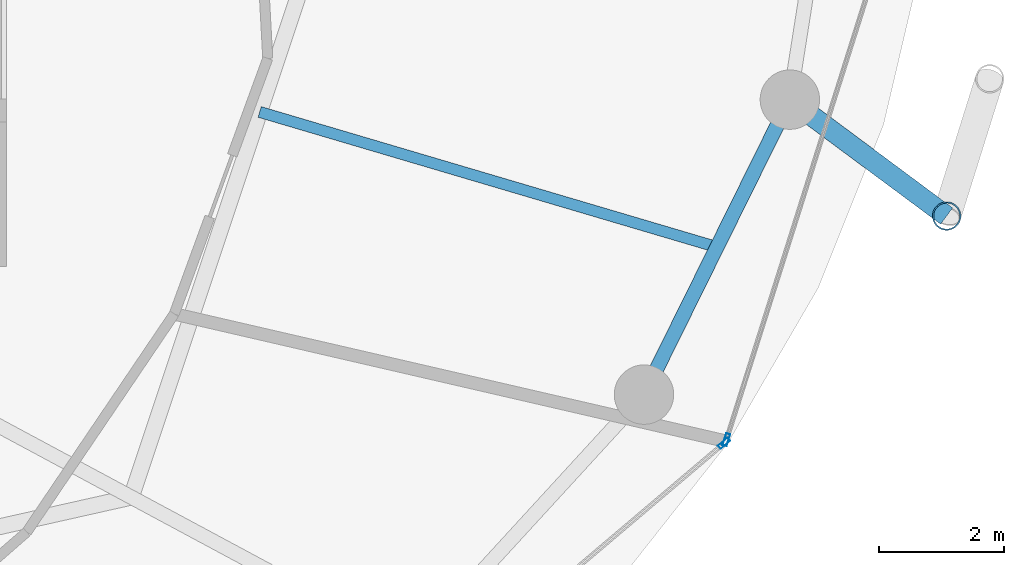
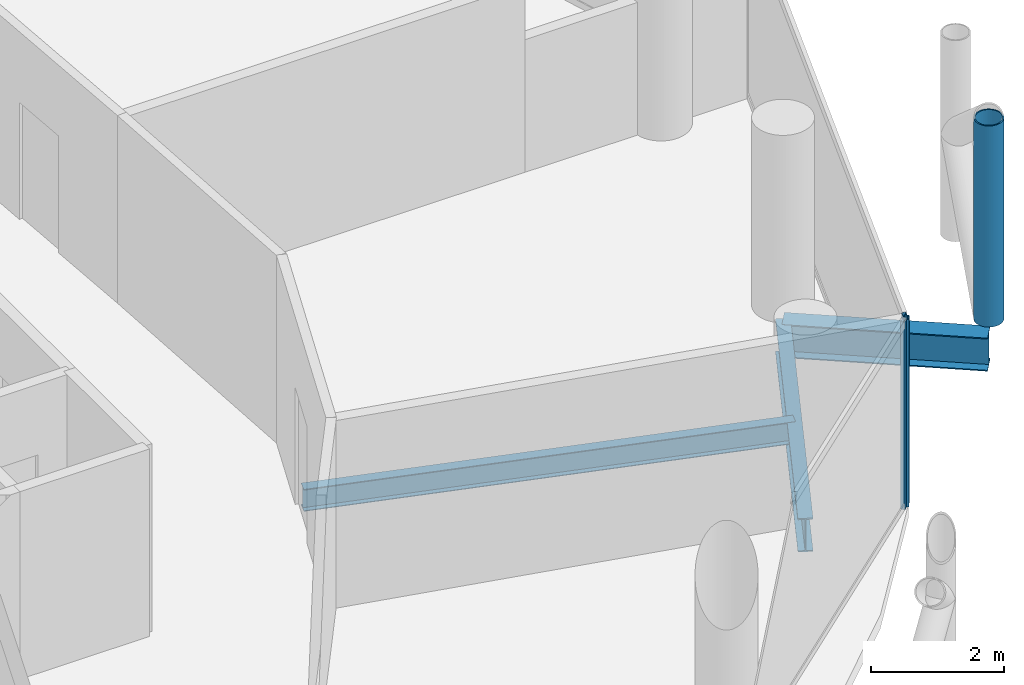
# One storey, part 10 of 26: 3 beams, 3 members, 2 elements without a shape of their own.
"""IFC4 building model written with IfcOpenShell, lengths in metres."""

from ifc_helpers import new_model, si_unit, direction, frame, origin, origin_2d, place, context, subcontext, project, spatial, hollow_rectangle, hollow_circle, i_section, extrude, material, layer, layer_set, material_profile, profile_set, type_object, element, aggregate, save


model = new_model("IFC4")

# Units and contexts
model_context = context("Model", 3, precision=1e-05, world=origin(), true_north=direction((0.0, 1.0)))
body_context = subcontext(model_context, "Body", "Model", "MODEL_VIEW")
ifc_project = project(units=[si_unit("LENGTHUNIT", "METRE"), si_unit("AREAUNIT", "SQUARE_METRE"), si_unit("VOLUMEUNIT", "CUBIC_METRE"), si_unit("PLANEANGLEUNIT", "RADIAN"), si_unit("MASSUNIT", "GRAM", prefix="KILO")], contexts=[model_context])

# Site, building, storey
site_placement = place(None, origin())
site = spatial("IfcSite", under=ifc_project, at=site_placement, CompositionType="ELEMENT")
building_placement = place(site_placement, origin())
building = spatial("IfcBuilding", under=site, at=building_placement, Name="Nuhasar Tower", CompositionType="ELEMENT")
storey_placement = place(building_placement, frame((0.0, 0.0, 155.25)))
storey = spatial("IfcBuildingStorey", under=building, at=storey_placement, Name="L37", CompositionType="ELEMENT", Elevation=155.25)

# Beams
ifc_material_1 = material(Name="Steel S355", Category="steel")
ifc_material_profile_1 = material_profile(ifc_material_1, i_section(OverallWidth=0.177978515625, OverallDepth=0.406005859375, WebThickness=0.0078125, FlangeThickness=0.0126953125, at=origin_2d()), Name="W16X40")
ifc_profile_set_1 = profile_set([ifc_material_profile_1], Name="Steel S355")
beam_type_1 = type_object("IfcBeamType", Name="BM-JST-W16X40", PredefinedType="JOIST", material=ifc_profile_set_1)
beam_1_placement = place(storey_placement, frame((53.0791015625, 21.54296875, -0.452880859375), z_axis=(0.959000494697, -0.283404395116, 0.0), x_axis=(0.283404395116, 0.959000494697, 0.0)))
element("IfcBeam", 1, at=beam_1_placement, inside=storey, type_object=beam_type_1, Name="L37 Secondary Floor Joist 03", PredefinedType="JOIST", context=body_context, shape_type="SweptSolid", body=[
    extrude(i_section(OverallWidth=0.177978515625, OverallDepth=0.406005859375, WebThickness=0.0078125, FlangeThickness=0.0126953125, at=origin_2d()), origin(), (0.0, 0.0, 1.0), 7.621337890625),
])
ifc_material_profile_2 = material_profile(ifc_material_1, i_section(OverallWidth=0.22998046875, OverallDepth=0.616943359375, WebThickness=0.01318359375, FlangeThickness=0.022216796875, at=origin_2d()), Name="W24X94")
ifc_profile_set_2 = profile_set([ifc_material_profile_2], Name="Steel S355")
beam_type_2 = type_object("IfcBeamType", Name="BM-RING-W24X94", PredefinedType="SPANDREL", material=ifc_profile_set_2)
beam_2_placement = place(storey_placement, frame((59.221923828125, 17.02490234375, -0.55908203125), z_axis=(0.443329327657, 0.896358804966, 0.0), x_axis=(-0.896358804966, 0.443329327657, 0.0)))
element("IfcBeam", 2, at=beam_2_placement, inside=storey, type_object=beam_type_2, Name="L37 Perimeter Ring Spandrel 23", PredefinedType="SPANDREL", context=body_context, shape_type="SweptSolid", body=[
    extrude(i_section(OverallWidth=0.22998046875, OverallDepth=0.616943359375, WebThickness=0.01318359375, FlangeThickness=0.022216796875, at=origin_2d()), origin(), (0.0, 0.0, 1.0), 5.26025390625),
])
ifc_material_profile_3 = material_profile(ifc_material_1, i_section(OverallWidth=0.323974609375, OverallDepth=0.611083984375, WebThickness=0.0126953125, FlangeThickness=0.01904296875, at=origin_2d()), Name="W24X104")
ifc_profile_set_3 = profile_set([ifc_material_profile_3], Name="Steel S355")
beam_type_3 = type_object("IfcBeamType", Name="BM-TIE-W24X104", PredefinedType="BEAM", material=ifc_profile_set_3)
beam_3_placement = place(storey_placement, frame((61.553955078125, 21.739990234375, -0.554931640625), z_axis=(0.80283476238, -0.596201597041, 0.0), x_axis=(0.596201597041, 0.80283476238, 0.0)))
element("IfcBeam", 3, at=beam_3_placement, inside=storey, type_object=beam_type_3, Name="L37 Exoskeleton Node Tie Beam 12", PredefinedType="BEAM", context=body_context, shape_type="SweptSolid", body=[
    extrude(i_section(OverallWidth=0.323974609375, OverallDepth=0.611083984375, WebThickness=0.0126953125, FlangeThickness=0.01904296875, at=origin_2d()), origin(), (0.0, 0.0, 1.0), 3.12158203125),
])

# Curtain wall, member
ifc_material_2 = material(Name="Aluminium 6063-T6", Category="aluminium")
ifc_layer = layer(ifc_material_2, 0.199951171875)
ifc_layer_set = layer_set([ifc_layer], Name="Aluminium 6063-T6")
curtain_wall_type = type_object("IfcCurtainWallType", Name="CW-Z2-HTL", PredefinedType="NOTDEFINED", material=ifc_layer_set)
curtain_wall_1_placement = place(storey_placement, origin())
curtain_wall_1 = element("IfcCurtainWall", 4, at=curtain_wall_1_placement, inside=storey, type_object=curtain_wall_type, Name="L37 Unitised Curtain Wall 11", PredefinedType="NOTDEFINED")
ifc_material_profile_4 = material_profile(ifc_material_2, hollow_rectangle(XDim=0.070068359375, YDim=0.199951171875, WallThickness=0.0048828125, at=origin_2d()), Name="CWM-3")
ifc_profile_set_4 = profile_set([ifc_material_profile_4], Name="Aluminium 6063-T6")
member_type_1 = type_object("IfcMemberType", Name="CW-MUL-S3", PredefinedType="MULLION", material=ifc_profile_set_4)
member_1_placement = place(storey_placement, frame((60.502197265625, 16.247314453125, 0.0), z_axis=(0.0, 0.0, 1.0), x_axis=(-0.646374438324, 0.763020370292, 0.0)))
member_1 = element("IfcMember", 5, at=member_1_placement, type_object=member_type_1, Name="CW-Z2 mullion 2", PredefinedType="MULLION", context=body_context, shape_type="SweptSolid", body=[
    extrude(hollow_rectangle(XDim=0.070068359375, YDim=0.199951171875, WallThickness=0.0048828125, at=origin_2d()), origin(), (0.0, 0.0, 1.0), 3.449951171875),
])
aggregate(curtain_wall_1, [member_1])

curtain_wall_2_placement = place(storey_placement, origin())
curtain_wall_2 = element("IfcCurtainWall", 6, at=curtain_wall_2_placement, inside=storey, type_object=curtain_wall_type, Name="L37 Unitised Curtain Wall 12", PredefinedType="NOTDEFINED")
member_2_placement = place(storey_placement, frame((60.53955078125, 16.303466796875, 0.0), z_axis=(0.0, 0.0, 1.0), x_axis=(-0.953433389233, 0.301603667577, 0.0)))
member_2 = element("IfcMember", 7, at=member_2_placement, type_object=member_type_1, Name="CW-Z2 mullion 1", PredefinedType="MULLION", context=body_context, shape_type="SweptSolid", body=[
    extrude(hollow_rectangle(XDim=0.070068359375, YDim=0.199951171875, WallThickness=0.0048828125, at=origin_2d()), origin(), (0.0, 0.0, 1.0), 3.449951171875),
])
aggregate(curtain_wall_2, [member_2])

# Member
ifc_material_3 = material(Name="Steel S460", Category="steel")
ifc_material_profile_5 = material_profile(ifc_material_3, hollow_circle(Radius=0.228515625, WallThickness=0.022216796875, at=origin_2d()), Name="HSS457X22.2")
ifc_profile_set_5 = profile_set([ifc_material_profile_5], Name="Steel S460")
member_type_2 = type_object("IfcMemberType", Name="EXO-BRONZE-457", PredefinedType="BRACE", material=ifc_profile_set_5)
member_3_placement = place(storey_placement, frame((64.06005859375, 19.87890625, 0.0), z_axis=(0.0, 0.0, 1.0), x_axis=(1.0, 0.0, 0.0)))
element("IfcMember", 8, at=member_3_placement, inside=storey, type_object=member_type_2, Name="L37 Exoskeleton Chord Column EC-12A", PredefinedType="BRACE", context=body_context, shape_type="SweptSolid", body=[
    extrude(hollow_circle(Radius=0.228515625, WallThickness=0.022216796875, at=origin_2d()), origin(), (0.0, 0.0, 1.0), 3.699951171875),
])

save(model, "model.ifc")
